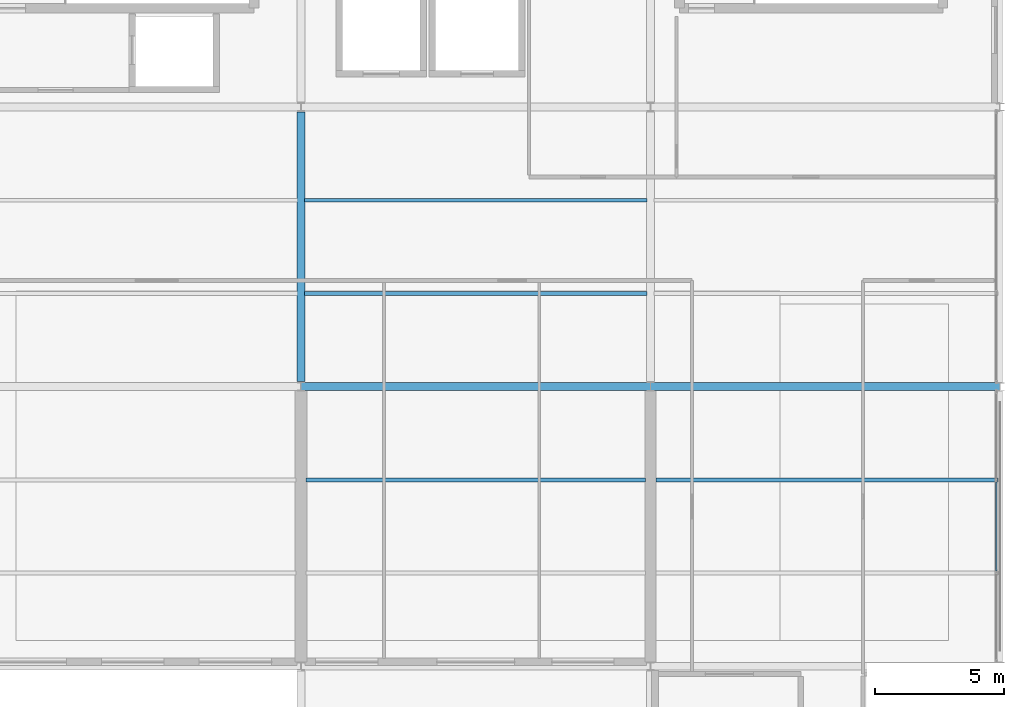
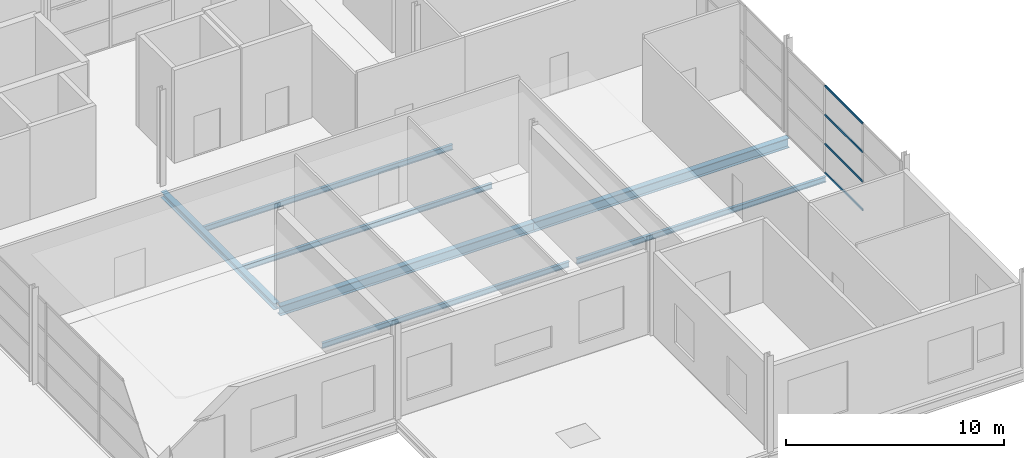
# One storey, part 13 of 34: 7 beams, 4 members, 1 element without a shape of its own.
"""IFC4 building model written with IfcOpenShell, lengths in metres."""

from ifc_helpers import new_model, si_unit, direction, frame, origin, origin_2d, place, context, subcontext, project, spatial, hollow_rectangle, i_section, extrude, material, layer, layer_set, material_profile, profile_set, type_object, element, aggregate, save


model = new_model("IFC4")

# Units and contexts
model_context = context("Model", 3, precision=1e-05, world=origin(), true_north=direction((0.0, 1.0)))
body_context = subcontext(model_context, "Body", "Model", "MODEL_VIEW")
ifc_project = project(units=[si_unit("LENGTHUNIT", "METRE"), si_unit("AREAUNIT", "SQUARE_METRE"), si_unit("VOLUMEUNIT", "CUBIC_METRE"), si_unit("PLANEANGLEUNIT", "RADIAN"), si_unit("MASSUNIT", "GRAM", prefix="KILO")], contexts=[model_context])

# Site, building, storey
site_placement = place(None, origin())
site = spatial("IfcSite", under=ifc_project, at=site_placement, CompositionType="ELEMENT")
building_placement = place(site_placement, origin())
building = spatial("IfcBuilding", under=site, at=building_placement, Name="Tamarisk Ironworks Central Station", CompositionType="ELEMENT")
storey_placement = place(building_placement, frame((0.0, 0.0, 25.199951171875)))
storey = spatial("IfcBuildingStorey", under=building, at=storey_placement, Name="L05", CompositionType="ELEMENT", Elevation=25.199951171875)

# Beams
ifc_material_1 = material(Name="Structural steel S355J2", Category="steel")
ifc_material_profile_1 = material_profile(ifc_material_1, i_section(OverallWidth=0.14990234375, OverallDepth=0.300048828125, WebThickness=0.007080078125, FlangeThickness=0.0107421875, at=origin_2d()), Name="IPE 300")
ifc_profile_set_1 = profile_set([ifc_material_profile_1], Name="Structural steel S355J2")
beam_type_1 = type_object("IfcBeamType", Name="BM-B07", PredefinedType="BEAM", material=ifc_profile_set_1)
beam_1_placement = place(storey_placement, frame((153.199951171875, 97.199951171875, -0.369873046875), z_axis=(1.0, 0.0, 0.0), x_axis=(0.0, 1.0, 0.0)))
element("IfcBeam", 1, at=beam_1_placement, inside=storey, type_object=beam_type_1, Name="L05 secondary composite beam 0271", PredefinedType="BEAM", context=body_context, shape_type="SweptSolid", body=[
    extrude(i_section(OverallWidth=0.14990234375, OverallDepth=0.300048828125, WebThickness=0.007080078125, FlangeThickness=0.0107421875, at=origin_2d()), origin(), (0.0, 0.0, 1.0), 13.10009765625),
])
for number, where, z_axis, x_axis, name in (
    (2, (153.135009765625, 104.39990234375, -0.369873046875), (1.0, 0.0, 0.0), (0.0, 1.0, 0.0), "L05 secondary composite beam 0272"),
    (3, (153.135009765625, 108.0, -0.369873046875), (1.0, 0.0, 0.0), (0.0, 1.0, 0.0), "L05 secondary composite beam 0273"),
):
    element("IfcBeam", number, at=place(storey_placement, frame(where, z_axis=z_axis, x_axis=x_axis)), inside=storey, type_object=beam_type_1, Name=name, PredefinedType="BEAM", context=body_context, shape_type="SweptSolid", body=[
        extrude(i_section(OverallWidth=0.14990234375, OverallDepth=0.300048828125, WebThickness=0.007080078125, FlangeThickness=0.0107421875, at=origin_2d()), origin(), (0.0, 0.0, 1.0), 13.22998046875),
    ])
beam_2_placement = place(storey_placement, frame((166.699951171875, 97.199951171875, -0.369873046875), z_axis=(1.0, 0.0, 0.0), x_axis=(0.0, 1.0, 0.0)))
element("IfcBeam", 4, at=beam_2_placement, inside=storey, type_object=beam_type_1, Name="L05 secondary composite beam 0276", PredefinedType="BEAM", context=body_context, shape_type="SweptSolid", body=[
    extrude(i_section(OverallWidth=0.14990234375, OverallDepth=0.300048828125, WebThickness=0.007080078125, FlangeThickness=0.0107421875, at=origin_2d()), origin(), (0.0, 0.0, 1.0), 13.215087890625),
])
ifc_material_profile_2 = material_profile(ifc_material_1, i_section(OverallWidth=0.300048828125, OverallDepth=0.5400390625, WebThickness=0.012451171875, FlangeThickness=0.02392578125, at=origin_2d()), Name="HEA 550")
ifc_profile_set_2 = profile_set([ifc_material_profile_2], Name="Structural steel S355J2")
beam_type_2 = type_object("IfcBeamType", Name="BM-G04", PredefinedType="BEAM", material=ifc_profile_set_2)
for number, where, z_axis, x_axis, name in (
    (5, (153.00390625, 100.800048828125, -0.489990234375), (1.0, 0.0, 0.0), (0.0, 1.0, 0.0), "L05 primary girder X-0758"),
    (6, (166.50390625, 100.800048828125, -0.489990234375), (1.0, 0.0, 0.0), (0.0, 1.0, 0.0), "L05 primary girder X-0759"),
):
    element("IfcBeam", number, at=place(storey_placement, frame(where, z_axis=z_axis, x_axis=x_axis)), inside=storey, type_object=beam_type_2, Name=name, PredefinedType="BEAM", context=body_context, shape_type="SweptSolid", body=[
        extrude(i_section(OverallWidth=0.300048828125, OverallDepth=0.5400390625, WebThickness=0.012451171875, FlangeThickness=0.02392578125, at=origin_2d()), origin(), (0.0, 0.0, 1.0), 13.4921875),
    ])
ifc_material_profile_3 = material_profile(ifc_material_1, i_section(OverallWidth=0.300048828125, OverallDepth=0.35009765625, WebThickness=0.010009765625, FlangeThickness=0.017578125, at=origin_2d()), Name="HEA 360")
ifc_profile_set_3 = profile_set([ifc_material_profile_3], Name="Structural steel S355J2")
beam_type_3 = type_object("IfcBeamType", Name="BM-G08", PredefinedType="BEAM", material=ifc_profile_set_3)
beam_3_placement = place(storey_placement, frame((153.0, 100.988037109375, -0.39501953125), z_axis=(0.0, 1.0, 0.0), x_axis=(-1.0, 0.0, 0.0)))
element("IfcBeam", 7, at=beam_3_placement, inside=storey, type_object=beam_type_3, Name="L05 primary girder Y-0777", PredefinedType="BEAM", context=body_context, shape_type="SweptSolid", body=[
    extrude(i_section(OverallWidth=0.300048828125, OverallDepth=0.35009765625, WebThickness=0.010009765625, FlangeThickness=0.017578125, at=origin_2d()), origin(), (0.0, 0.0, 1.0), 10.424072265625),
])

# Curtain wall, members
ifc_material_2 = material(Name="Anodized aluminium alloy 6063-T6", Category="aluminium")
ifc_layer = layer(ifc_material_2, 0.179931640625)
ifc_layer_set = layer_set([ifc_layer], Name="Anodized aluminium alloy 6063-T6")
curtain_wall_type = type_object("IfcCurtainWallType", Name="CW-23", PredefinedType="USERDEFINED", material=ifc_layer_set)
curtain_wall_placement = place(storey_placement, origin())
curtain_wall = element("IfcCurtainWall", 8, at=curtain_wall_placement, inside=storey, type_object=curtain_wall_type, Name="Operations L05 east facade curtain wall 090", ObjectType="GLAZED CURTAIN WALL", PredefinedType="USERDEFINED")
ifc_material_profile_4 = material_profile(ifc_material_2, hollow_rectangle(XDim=0.06005859375, YDim=0.114990234375, WallThickness=0.00341796875, at=origin_2d()), Name="ALUM 115x60")
ifc_profile_set_4 = profile_set([ifc_material_profile_4], Name="Anodized aluminium alloy 6063-T6")
member_type = type_object("IfcMemberType", Name="CWT-03", PredefinedType="USERDEFINED", material=ifc_profile_set_4)
member_1_placement = place(storey_placement, frame((179.85009765625, 93.67529296875, 0.030029296875), z_axis=(0.0, 1.0, 0.0), x_axis=(-1.0, 0.0, 0.0)))
member_1 = element("IfcMember", 9, at=member_1_placement, type_object=member_type, Name="CW23 transom 2.1", ObjectType="TRANSOM", PredefinedType="USERDEFINED", context=body_context, shape_type="SweptSolid", body=[
    extrude(hollow_rectangle(XDim=0.06005859375, YDim=0.114990234375, WallThickness=0.00341796875, at=origin_2d()), origin(), (0.0, 0.0, 1.0), 3.449462890625),
])
member_2_placement = place(storey_placement, frame((179.85009765625, 93.67529296875, 1.64013671875), z_axis=(0.0, 1.0, 0.0), x_axis=(-1.0, 0.0, 0.0)))
member_2 = element("IfcMember", 10, at=member_2_placement, type_object=member_type, Name="CW23 transom 2.2", ObjectType="TRANSOM", PredefinedType="USERDEFINED", context=body_context, shape_type="SweptSolid", body=[
    extrude(hollow_rectangle(XDim=0.06005859375, YDim=0.114990234375, WallThickness=0.00341796875, at=origin_2d()), origin(), (0.0, 0.0, 1.0), 3.449462890625),
])
member_3_placement = place(storey_placement, frame((179.85009765625, 93.67529296875, 3.280029296875), z_axis=(0.0, 1.0, 0.0), x_axis=(-1.0, 0.0, 0.0)))
member_3 = element("IfcMember", 11, at=member_3_placement, type_object=member_type, Name="CW23 transom 2.3", ObjectType="TRANSOM", PredefinedType="USERDEFINED", context=body_context, shape_type="SweptSolid", body=[
    extrude(hollow_rectangle(XDim=0.06005859375, YDim=0.114990234375, WallThickness=0.00341796875, at=origin_2d()), origin(), (0.0, 0.0, 1.0), 3.449462890625),
])
member_4_placement = place(storey_placement, frame((179.85009765625, 93.67529296875, 4.89013671875), z_axis=(0.0, 1.0, 0.0), x_axis=(-1.0, 0.0, 0.0)))
member_4 = element("IfcMember", 12, at=member_4_placement, type_object=member_type, Name="CW23 transom 2.4", ObjectType="TRANSOM", PredefinedType="USERDEFINED", context=body_context, shape_type="SweptSolid", body=[
    extrude(hollow_rectangle(XDim=0.06005859375, YDim=0.114990234375, WallThickness=0.00341796875, at=origin_2d()), origin(), (0.0, 0.0, 1.0), 3.449462890625),
])
aggregate(curtain_wall, [member_1, member_2, member_3, member_4])

save(model, "model.ifc")
